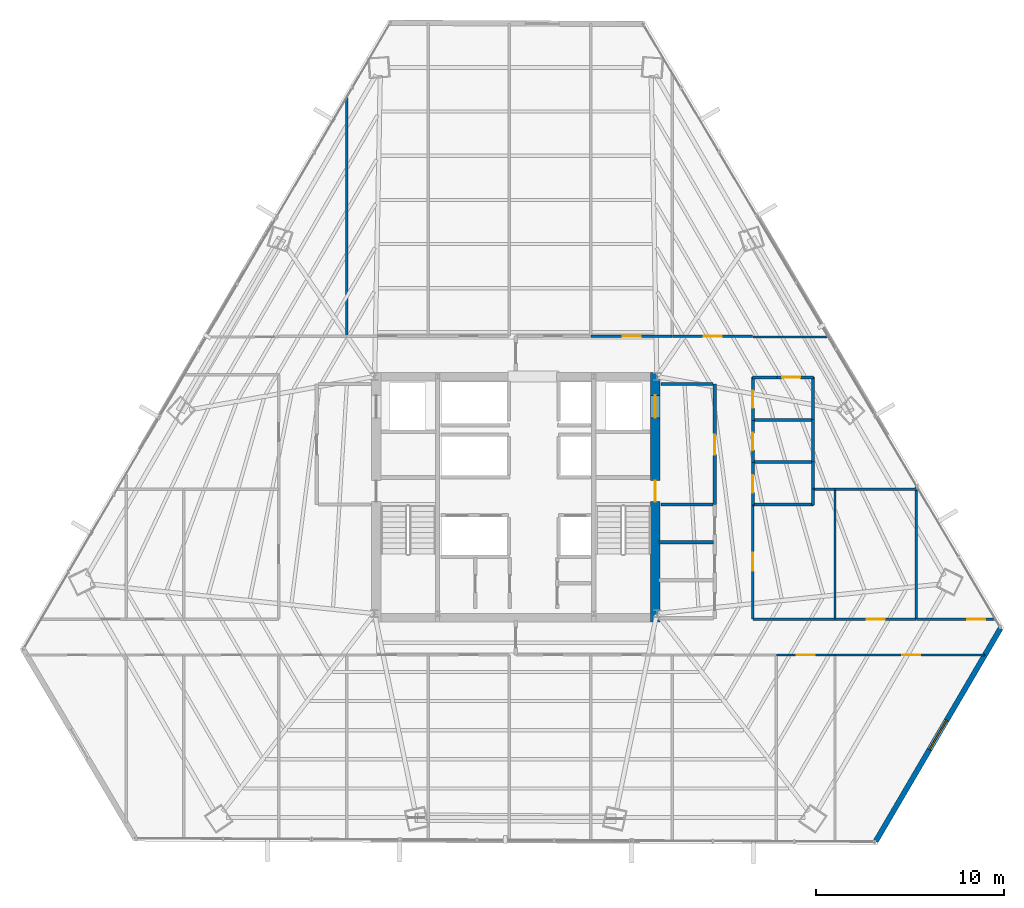
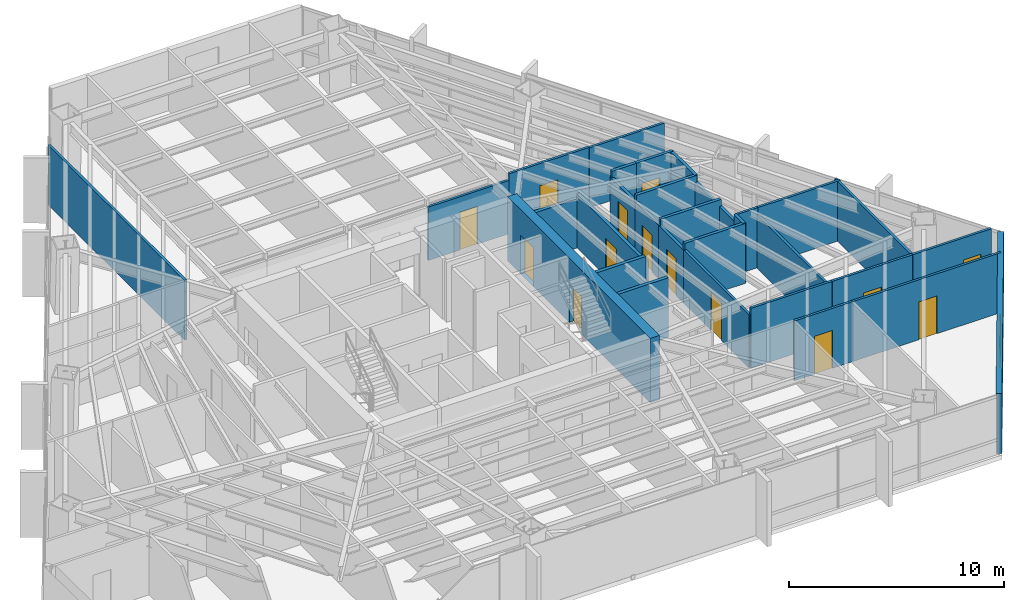
# One storey, part 32 of 36: 32 walls, 14 doors, 1 window, 15 openings.
"""IFC4 building model written with IfcOpenShell, lengths in metres."""

from ifc_helpers import new_model, si_unit, direction, frame, frame_2d, origin, place, context, subcontext, project, spatial, rectangle, extrude, material, layer, layer_set, type_object, element, fill, save


model = new_model("IFC4")

# Units and contexts
model_context = context("Model", 3, precision=1e-05, world=origin(), true_north=direction((0.0, 1.0)))
body_context = subcontext(model_context, "Body", "Model", "MODEL_VIEW")
ifc_project = project(units=[si_unit("LENGTHUNIT", "METRE"), si_unit("AREAUNIT", "SQUARE_METRE"), si_unit("VOLUMEUNIT", "CUBIC_METRE"), si_unit("PLANEANGLEUNIT", "RADIAN"), si_unit("MASSUNIT", "GRAM", prefix="KILO")], contexts=[model_context])

# Site, building, storey
site_placement = place(None, origin())
site = spatial("IfcSite", under=ifc_project, at=site_placement, CompositionType="ELEMENT")
building_placement = place(site_placement, origin())
building = spatial("IfcBuilding", under=site, at=building_placement, Name="Caelisora Broadcast Tower", CompositionType="ELEMENT")
storey_placement = place(building_placement, frame((0.0, 0.0, 112.699951171875)))
storey = spatial("IfcBuildingStorey", under=building, at=storey_placement, Name="L29", CompositionType="ELEMENT", Elevation=112.699951171875)

# Wall, openings, doors
ifc_material_1 = material(Name="Concrete 50 MPa (AS 3600 S50)", Category="concrete")
ifc_layer_1 = layer(ifc_material_1, 0.5, Name="Concrete 50 MPa (AS 3600 S50)")
ifc_layer_set_1 = layer_set([ifc_layer_1], Name="Concrete 50 MPa (AS 3600 S50)")
wall_type_1 = type_object("IfcWallType", Name="CW2", PredefinedType="SHEAR", material=ifc_layer_set_1)
wall_1_placement = place(storey_placement, frame((45.409912109375, 16.949951171875, 0.0), z_axis=(0.0, 0.0, 1.0), x_axis=(0.0, 1.0, 0.0)))
wall_1 = element("IfcWall", 1, at=wall_1_placement, inside=storey, type_object=wall_type_1, Name="L29 core shear wall CW2", PredefinedType="SHEAR", context=body_context, shape_type="SweptSolid", body=[
    extrude(rectangle(XDim=13.275146484375, YDim=0.5, at=frame_2d((6.6376953125, 0.0))), origin(), (0.0, 0.0, 1.0), 3.650146484375),
])
opening_1_placement = place(wall_1_placement, frame((6.39990234375, 0.0, 0.0)))
opening_1 = element("IfcOpeningElement", 2, at=opening_1_placement, cuts=wall_1, Name="Opening FD04", PredefinedType="OPENING", context=body_context, shape_type="SweptSolid", body=[
    extrude(rectangle(XDim=1.1201171875, YDim=2.14990234375, at=frame_2d((0.56005859375, 1.074951171875))), frame((0.0, 0.261962890625, 0.0), z_axis=(0.0, -1.0, 0.0), x_axis=(1.0, 0.0, 0.0)), (0.0, 0.0, 1.0), 0.52392578125),
])
opening_2_placement = place(wall_1_placement, frame((10.85009765625, 0.0, 0.0)))
opening_2 = element("IfcOpeningElement", 3, at=opening_2_placement, cuts=wall_1, Name="Opening LD04", PredefinedType="OPENING", context=body_context, shape_type="SweptSolid", body=[
    extrude(rectangle(XDim=1.199951171875, YDim=2.199951171875, at=frame_2d((0.60009765625, 1.10009765625))), frame((0.0, 0.261962890625, 0.0), z_axis=(0.0, -1.0, 0.0), x_axis=(1.0, 0.0, 0.0)), (0.0, 0.0, 1.0), 0.52392578125),
])
ifc_material_2 = material(Name="Pressurised Fire-Isolated Stair Door", Category="steel")
door_type_1 = type_object("IfcDoorType", Name="FD04", OperationType="NOTDEFINED", PredefinedType="DOOR", material=ifc_material_2)
door_1_placement = place(opening_1_placement, origin())
door_1 = element("IfcDoor", 4, at=door_1_placement, inside=storey, type_object=door_type_1, Name="L29 door FD04 (L29-DR-ST2)", OperationType="SINGLE_SWING_RIGHT", OverallHeight=2.14990234375, OverallWidth=1.1201171875, PredefinedType="DOOR", context=body_context, shape_type="SweptSolid", body=[
    extrude(rectangle(XDim=1.1201171875, YDim=2.14990234375, at=frame_2d((0.56005859375, 1.074951171875))), frame((0.0, 0.02490234375, 0.0), z_axis=(0.0, -1.0, 0.0), x_axis=(1.0, 0.0, 0.0)), (0.0, 0.0, 1.0), 0.050048828125),
])
fill(opening_1, door_1)
ifc_material_3 = material(Name="Emergency Firefighting Lift Sliding Landing Door", Category="steel")
door_type_2 = type_object("IfcDoorType", Name="LD04", OperationType="NOTDEFINED", PredefinedType="DOOR", material=ifc_material_3)
door_2_placement = place(opening_2_placement, origin())
door_2 = element("IfcDoor", 5, at=door_2_placement, inside=storey, type_object=door_type_2, Name="L29 door LD04 (L29-LD-FFL2)", OperationType="SLIDING_TO_RIGHT", OverallHeight=2.199951171875, OverallWidth=1.199951171875, PredefinedType="DOOR", context=body_context, shape_type="SweptSolid", body=[
    extrude(rectangle(XDim=1.199951171875, YDim=2.199951171875, at=frame_2d((0.60009765625, 1.10009765625))), frame((0.0, 0.02490234375, 0.0), z_axis=(0.0, -1.0, 0.0), x_axis=(1.0, 0.0, 0.0)), (0.0, 0.0, 1.0), 0.050048828125),
])
fill(opening_2, door_2)

# Wall, opening, window
ifc_material_4 = material(Name="Insulated Terracotta Spandrel Wall System", Category="masonry")
ifc_layer_2 = layer(ifc_material_4, 0.280029296875, Name="Insulated Terracotta Spandrel Wall System")
ifc_layer_set_2 = layer_set([ifc_layer_2], Name="Insulated Terracotta Spandrel Wall System")
wall_type_2 = type_object("IfcWallType", Name="EW1", PredefinedType="STANDARD", material=ifc_layer_set_2)
wall_2_placement = place(storey_placement, frame((63.76171875, 16.613037109375, 0.0), z_axis=(0.0, 0.0, 1.0), x_axis=(-0.5054939922, -0.862830124561, 0.0)))
wall_2 = element("IfcWall", 6, at=wall_2_placement, inside=storey, type_object=wall_type_2, Name="L29 exterior envelope wall EW1", PredefinedType="STANDARD", context=body_context, shape_type="SweptSolid", body=[
    extrude(rectangle(XDim=13.115234375, YDim=0.280029296875, at=frame_2d((6.5576171875, 0.0))), origin(), (0.0, 0.0, 1.0), 3.400146484375),
])
opening_3_placement = place(wall_2_placement, frame((5.659912109375, 0.0, 0.89990234375)))
opening_3 = element("IfcOpeningElement", 7, at=opening_3_placement, cuts=wall_2, Name="Opening W01", PredefinedType="OPENING", context=body_context, shape_type="SweptSolid", body=[
    extrude(rectangle(XDim=1.800048828125, YDim=1.800048828125, at=frame_2d((0.89990234375, 0.89990234375))), frame((0.0, 0.152099609375, 0.0), z_axis=(0.0, -1.0, 0.0), x_axis=(1.0, 0.0, 0.0)), (0.0, 0.0, 1.0), 0.303955078125),
])
ifc_material_5 = material(Name="Double Glazed Terracotta-Framed Vision Window", Category="glass")
window_type = type_object("IfcWindowType", Name="W01", PartitioningType="SINGLE_PANEL", PredefinedType="WINDOW", material=ifc_material_5)
window_placement = place(opening_3_placement, origin())
window = element("IfcWindow", 8, at=window_placement, inside=storey, type_object=window_type, Name="L29 window W01 (L29-WN-CH0)", OverallHeight=1.800048828125, OverallWidth=1.800048828125, PartitioningType="SINGLE_PANEL", PredefinedType="WINDOW", context=body_context, shape_type="SweptSolid", body=[
    extrude(rectangle(XDim=1.800048828125, YDim=1.800048828125, at=frame_2d((0.89990234375, 0.89990234375))), frame((0.0, 0.030029296875, 0.0), z_axis=(0.0, -1.0, 0.0), x_axis=(1.0, 0.0, 0.0)), (0.0, 0.0, 1.0), 0.06005859375),
])
fill(opening_3, window)

# Wall, opening, door
ifc_material_6 = material(Name="Fire-Rated Gypsum Shaft and Compartment Wall", Category="gypsum")
ifc_layer_3 = layer(ifc_material_6, 0.179931640625, Name="Fire-Rated Gypsum Shaft and Compartment Wall")
ifc_layer_set_3 = layer_set([ifc_layer_3], Name="Fire-Rated Gypsum Shaft and Compartment Wall")
wall_type_3 = type_object("IfcWallType", Name="PW2", PredefinedType="PARTITIONING", material=ifc_layer_set_3)
wall_3_placement = place(storey_placement, frame((48.580078125, 23.199951171875, 0.0), z_axis=(0.0, 0.0, 1.0), x_axis=(0.0, 1.0, 0.0)))
wall_3 = element("IfcWall", 9, at=wall_3_placement, inside=storey, type_object=wall_type_3, Name="L29 fire compartment wall PW2", PredefinedType="PARTITIONING", context=body_context, shape_type="SweptSolid", body=[
    extrude(rectangle(XDim=6.400146484375, YDim=0.179931640625, at=frame_2d((3.2001953125, 0.0))), origin(), (0.0, 0.0, 1.0), 3.0263671875),
])
opening_4_placement = place(wall_3_placement, frame((2.64990234375, 0.0, 0.0)))
opening_4 = element("IfcOpeningElement", 10, at=opening_4_placement, cuts=wall_3, Name="Opening FD02", PredefinedType="OPENING", context=body_context, shape_type="SweptSolid", body=[
    extrude(rectangle(XDim=1.050048828125, YDim=2.14990234375, at=frame_2d((0.52490234375, 1.074951171875))), frame((0.0, 0.10205078125, 0.0), z_axis=(0.0, -1.0, 0.0), x_axis=(1.0, 0.0, 0.0)), (0.0, 0.0, 1.0), 0.203857421875),
])
ifc_material_7 = material(Name="Single-Leaf Steel Fire Lobby Door", Category="steel")
door_type_3 = type_object("IfcDoorType", Name="FD02", OperationType="NOTDEFINED", PredefinedType="DOOR", material=ifc_material_7)
door_3_placement = place(opening_4_placement, origin())
door_3 = element("IfcDoor", 11, at=door_3_placement, inside=storey, type_object=door_type_3, Name="L29 door FD02 (L29-DR-P04D1)", OperationType="SINGLE_SWING_LEFT", OverallHeight=2.14990234375, OverallWidth=1.050048828125, PredefinedType="DOOR", context=body_context, shape_type="SweptSolid", body=[
    extrude(rectangle(XDim=1.050048828125, YDim=2.14990234375, at=frame_2d((0.52490234375, 1.074951171875))), frame((0.0, 0.02490234375, 0.0), z_axis=(0.0, -1.0, 0.0), x_axis=(1.0, 0.0, 0.0)), (0.0, 0.0, 1.0), 0.050048828125),
])
fill(opening_4, door_3)

# Walls
wall_4_placement = place(storey_placement, frame((45.719970703125, 23.199951171875, 0.0), z_axis=(0.0, 0.0, 1.0), x_axis=(1.0, 0.0, 0.0)))
element("IfcWall", 12, at=wall_4_placement, inside=storey, type_object=wall_type_3, Name="L29 fire compartment wall PW2", PredefinedType="PARTITIONING", context=body_context, shape_type="SweptSolid", body=[
    extrude(rectangle(XDim=2.760009765625, YDim=0.179931640625, at=frame_2d((1.3798828125, 0.0))), origin(), (0.0, 0.0, 1.0), 3.400146484375),
])
wall_5_placement = place(storey_placement, frame((45.719970703125, 29.60009765625, 0.0), z_axis=(0.0, 0.0, 1.0), x_axis=(1.0, 0.0, 0.0)))
element("IfcWall", 13, at=wall_5_placement, inside=storey, type_object=wall_type_3, Name="L29 fire compartment wall PW2", PredefinedType="PARTITIONING", context=body_context, shape_type="SweptSolid", body=[
    extrude(rectangle(XDim=2.760009765625, YDim=0.179931640625, at=frame_2d((1.3798828125, 0.0))), origin(), (0.0, 0.0, 1.0), 2.782958984375),
])
wall_6_placement = place(storey_placement, frame((45.6201171875, 21.18994140625, 0.0), z_axis=(0.0, 0.0, 1.0), x_axis=(1.0, 0.0, 0.0)))
element("IfcWall", 14, at=wall_6_placement, inside=storey, type_object=wall_type_3, Name="L29 fire compartment wall PW2", PredefinedType="PARTITIONING", context=body_context, shape_type="SweptSolid", body=[
    extrude(rectangle(XDim=2.89990234375, YDim=0.179931640625, at=frame_2d((1.449951171875, 0.0))), origin(), (0.0, 0.0, 1.0), 3.400146484375),
])
ifc_material_8 = material(Name="Acoustic Steel-Stud Plasterboard Partition", Category="gypsum")
ifc_layer_4 = layer(ifc_material_8, 0.1298828125, Name="Acoustic Steel-Stud Plasterboard Partition")
ifc_layer_set_4 = layer_set([ifc_layer_4], Name="Acoustic Steel-Stud Plasterboard Partition")
wall_type_4 = type_object("IfcWallType", Name="PW3", PredefinedType="PARTITIONING", material=ifc_layer_set_4)
wall_7_placement = place(storey_placement, frame((29.010009765625, 32.155029296875, 0.0), z_axis=(0.0, 0.0, 1.0), x_axis=(0.0, 1.0, 0.0)))
element("IfcWall", 15, at=wall_7_placement, inside=storey, type_object=wall_type_4, Name="L29 internal partition PW3", PredefinedType="PARTITIONING", context=body_context, shape_type="SweptSolid", body=[
    extrude(rectangle(XDim=12.6806640625, YDim=0.1298828125, at=frame_2d((6.34033203125, 0.0))), origin(), (0.0, 0.0, 1.0), 3.400146484375),
])

# Wall, opening, door
wall_8_placement = place(storey_placement, frame((54.97509765625, 15.199951171875, 0.0), z_axis=(0.0, 0.0, 1.0), x_axis=(1.0, 0.0, 0.0)))
wall_8 = element("IfcWall", 16, at=wall_8_placement, inside=storey, type_object=wall_type_4, Name="L29 internal partition PW3", PredefinedType="PARTITIONING", context=body_context, shape_type="SweptSolid", body=[
    extrude(rectangle(XDim=7.96484375, YDim=0.1298828125, at=frame_2d((3.982421875, 0.0))), origin(), (0.0, 0.0, 1.0), 3.400146484375),
])
opening_5_placement = place(wall_8_placement, frame((3.556884765625, 0.0, 0.0)))
opening_5 = element("IfcOpeningElement", 17, at=opening_5_placement, cuts=wall_8, Name="Opening D01", PredefinedType="OPENING", context=body_context, shape_type="SweptSolid", body=[
    extrude(rectangle(XDim=0.9599609375, YDim=2.14990234375, at=frame_2d((0.47998046875, 1.074951171875))), frame((0.0, 0.076904296875, 0.0), z_axis=(0.0, -1.0, 0.0), x_axis=(1.0, 0.0, 0.0)), (0.0, 0.0, 1.0), 0.15380859375),
])
ifc_material_9 = material(Name="Solid-Core Timber Acoustic Office Door", Category="wood")
door_type_4 = type_object("IfcDoorType", Name="D01", OperationType="NOTDEFINED", PredefinedType="DOOR", material=ifc_material_9)
door_4_placement = place(opening_5_placement, origin())
door_4 = element("IfcDoor", 18, at=door_4_placement, inside=storey, type_object=door_type_4, Name="L29 door D01 (L29-DR-P46D1)", OperationType="SINGLE_SWING_RIGHT", OverallHeight=2.14990234375, OverallWidth=0.9599609375, PredefinedType="DOOR", context=body_context, shape_type="SweptSolid", body=[
    extrude(rectangle(XDim=0.9599609375, YDim=2.14990234375, at=frame_2d((0.47998046875, 1.074951171875))), frame((0.0, 0.02490234375, 0.0), z_axis=(0.0, -1.0, 0.0), x_axis=(1.0, 0.0, 0.0)), (0.0, 0.0, 1.0), 0.050048828125),
])
fill(opening_5, door_4)

# Walls
wall_9_placement = place(storey_placement, frame((54.969970703125, 17.10498046875, 0.0), z_axis=(0.0, 0.0, 1.0), x_axis=(0.0, 1.0, 0.0)))
element("IfcWall", 19, at=wall_9_placement, inside=storey, type_object=wall_type_4, Name="L29 internal partition PW3", PredefinedType="PARTITIONING", context=body_context, shape_type="SweptSolid", body=[
    extrude(rectangle(XDim=6.89013671875, YDim=0.1298828125, at=frame_2d((3.445068359375, 0.0))), origin(), (0.0, 0.0, 1.0), 3.0263671875),
])
wall_10_placement = place(storey_placement, frame((59.2900390625, 17.10498046875, 0.0), z_axis=(0.0, 0.0, 1.0), x_axis=(0.0, 1.0, 0.0)))
element("IfcWall", 20, at=wall_10_placement, inside=storey, type_object=wall_type_4, Name="L29 internal partition PW3", PredefinedType="PARTITIONING", context=body_context, shape_type="SweptSolid", body=[
    extrude(rectangle(XDim=7.09130859375, YDim=0.1298828125, at=frame_2d((3.545654296875, 0.0))), origin(), (0.0, 0.0, 1.0), 3.400146484375),
])

# Wall, opening, door
wall_11_placement = place(storey_placement, frame((50.60009765625, 17.10498046875, 0.0), z_axis=(0.0, 0.0, 1.0), x_axis=(0.0, 1.0, 0.0)))
wall_11 = element("IfcWall", 21, at=wall_11_placement, inside=storey, type_object=wall_type_4, Name="L29 internal partition PW3", PredefinedType="PARTITIONING", context=body_context, shape_type="SweptSolid", body=[
    extrude(rectangle(XDim=6.090087890625, YDim=0.1298828125, at=frame_2d((3.044921875, 0.0))), origin(), (0.0, 0.0, 1.0), 3.0263671875),
])
opening_6_placement = place(wall_11_placement, frame((2.56494140625, 0.0, 0.0)))
opening_6 = element("IfcOpeningElement", 22, at=opening_6_placement, cuts=wall_11, Name="Opening D01", PredefinedType="OPENING", context=body_context, shape_type="SweptSolid", body=[
    extrude(rectangle(XDim=0.9599609375, YDim=2.14990234375, at=frame_2d((0.47998046875, 1.074951171875))), frame((0.0, 0.076904296875, 0.0), z_axis=(0.0, -1.0, 0.0), x_axis=(1.0, 0.0, 0.0)), (0.0, 0.0, 1.0), 0.15380859375),
])
door_5_placement = place(opening_6_placement, origin())
door_5 = element("IfcDoor", 23, at=door_5_placement, inside=storey, type_object=door_type_4, Name="L29 door D01 (L29-DR-P53D1)", OperationType="SINGLE_SWING_LEFT", OverallHeight=2.14990234375, OverallWidth=0.9599609375, PredefinedType="DOOR", context=body_context, shape_type="SweptSolid", body=[
    extrude(rectangle(XDim=0.9599609375, YDim=2.14990234375, at=frame_2d((0.47998046875, 1.074951171875))), frame((0.0, 0.02490234375, 0.0), z_axis=(0.0, -1.0, 0.0), x_axis=(1.0, 0.0, 0.0)), (0.0, 0.0, 1.0), 0.050048828125),
])
fill(opening_6, door_5)

# Wall
wall_12_placement = place(storey_placement, frame((54.965087890625, 17.10009765625, 0.0), z_axis=(0.0, 0.0, 1.0), x_axis=(-1.0, 0.0, 0.0)))
element("IfcWall", 24, at=wall_12_placement, inside=storey, type_object=wall_type_4, Name="L29 internal partition PW3", PredefinedType="PARTITIONING", context=body_context, shape_type="SweptSolid", body=[
    extrude(rectangle(XDim=4.360107421875, YDim=0.1298828125, at=frame_2d((2.18017578125, 0.0))), origin(), (0.0, 0.0, 1.0), 3.400146484375),
])

# Wall, opening, door
wall_13_placement = place(storey_placement, frame((41.9951171875, 32.14990234375, 0.0), z_axis=(0.0, 0.0, 1.0), x_axis=(1.0, 0.0, 0.0)))
wall_13 = element("IfcWall", 25, at=wall_13_placement, inside=storey, type_object=wall_type_4, Name="L29 internal partition PW3", PredefinedType="PARTITIONING", context=body_context, shape_type="SweptSolid", body=[
    extrude(rectangle(XDim=4.31982421875, YDim=0.1298828125, at=frame_2d((2.159912109375, 0.0))), origin(), (0.0, 0.0, 1.0), 3.0263671875),
])
opening_7_placement = place(wall_13_placement, frame((1.679931640625, 0.0, 0.0)))
opening_7 = element("IfcOpeningElement", 26, at=opening_7_placement, cuts=wall_13, Name="Opening D01", PredefinedType="OPENING", context=body_context, shape_type="SweptSolid", body=[
    extrude(rectangle(XDim=0.9599609375, YDim=2.14990234375, at=frame_2d((0.47998046875, 1.074951171875))), frame((0.0, 0.076904296875, 0.0), z_axis=(0.0, -1.0, 0.0), x_axis=(1.0, 0.0, 0.0)), (0.0, 0.0, 1.0), 0.15380859375),
])
door_6_placement = place(opening_7_placement, origin())
door_6 = element("IfcDoor", 27, at=door_6_placement, inside=storey, type_object=door_type_4, Name="L29 door D01 (L29-DR-P64D1)", OperationType="SINGLE_SWING_RIGHT", OverallHeight=2.14990234375, OverallWidth=0.9599609375, PredefinedType="DOOR", context=body_context, shape_type="SweptSolid", body=[
    extrude(rectangle(XDim=0.9599609375, YDim=2.14990234375, at=frame_2d((0.47998046875, 1.074951171875))), frame((0.0, 0.02490234375, 0.0), z_axis=(0.0, -1.0, 0.0), x_axis=(1.0, 0.0, 0.0)), (0.0, 0.0, 1.0), 0.050048828125),
])
fill(opening_7, door_6)

wall_14_placement = place(storey_placement, frame((59.294921875, 17.10009765625, 0.0), z_axis=(0.0, 0.0, 1.0), x_axis=(1.0, 0.0, 0.0)))
wall_14 = element("IfcWall", 28, at=wall_14_placement, inside=storey, type_object=wall_type_4, Name="L29 internal partition PW3", PredefinedType="PARTITIONING", context=body_context, shape_type="SweptSolid", body=[
    extrude(rectangle(XDim=4.214599609375, YDim=0.1298828125, at=frame_2d((2.107421875, 0.0))), origin(), (0.0, 0.0, 1.0), 3.400146484375),
])
opening_8_placement = place(wall_14_placement, frame((2.699951171875, 0.0, 0.0)))
opening_8 = element("IfcOpeningElement", 29, at=opening_8_placement, cuts=wall_14, Name="Opening D01", PredefinedType="OPENING", context=body_context, shape_type="SweptSolid", body=[
    extrude(rectangle(XDim=0.9599609375, YDim=2.14990234375, at=frame_2d((0.47998046875, 1.074951171875))), frame((0.0, 0.076904296875, 0.0), z_axis=(0.0, -1.0, 0.0), x_axis=(1.0, 0.0, 0.0)), (0.0, 0.0, 1.0), 0.15380859375),
])
door_7_placement = place(opening_8_placement, origin())
door_7 = element("IfcDoor", 30, at=door_7_placement, inside=storey, type_object=door_type_4, Name="L29 door D01 (L29-DR-P65D1)", OperationType="SINGLE_SWING_LEFT", OverallHeight=2.14990234375, OverallWidth=0.9599609375, PredefinedType="DOOR", context=body_context, shape_type="SweptSolid", body=[
    extrude(rectangle(XDim=0.9599609375, YDim=2.14990234375, at=frame_2d((0.47998046875, 1.074951171875))), frame((0.0, 0.02490234375, 0.0), z_axis=(0.0, -1.0, 0.0), x_axis=(1.0, 0.0, 0.0)), (0.0, 0.0, 1.0), 0.050048828125),
])
fill(opening_8, door_7)

wall_15_placement = place(storey_placement, frame((54.97509765625, 17.10009765625, 0.0), z_axis=(0.0, 0.0, 1.0), x_axis=(1.0, 0.0, 0.0)))
wall_15 = element("IfcWall", 31, at=wall_15_placement, inside=storey, type_object=wall_type_4, Name="L29 internal partition PW3", PredefinedType="PARTITIONING", context=body_context, shape_type="SweptSolid", body=[
    extrude(rectangle(XDim=4.309814453125, YDim=0.1298828125, at=frame_2d((2.15478515625, 0.0))), origin(), (0.0, 0.0, 1.0), 3.400146484375),
])
opening_9_placement = place(wall_15_placement, frame((1.675048828125, 0.0, 0.0)))
opening_9 = element("IfcOpeningElement", 32, at=opening_9_placement, cuts=wall_15, Name="Opening D01", PredefinedType="OPENING", context=body_context, shape_type="SweptSolid", body=[
    extrude(rectangle(XDim=0.9599609375, YDim=2.14990234375, at=frame_2d((0.47998046875, 1.074951171875))), frame((0.0, 0.076904296875, 0.0), z_axis=(0.0, -1.0, 0.0), x_axis=(1.0, 0.0, 0.0)), (0.0, 0.0, 1.0), 0.15380859375),
])
door_8_placement = place(opening_9_placement, origin())
door_8 = element("IfcDoor", 33, at=door_8_placement, inside=storey, type_object=door_type_4, Name="L29 door D01 (L29-DR-P67D1)", OperationType="SINGLE_SWING_LEFT", OverallHeight=2.14990234375, OverallWidth=0.9599609375, PredefinedType="DOOR", context=body_context, shape_type="SweptSolid", body=[
    extrude(rectangle(XDim=0.9599609375, YDim=2.14990234375, at=frame_2d((0.47998046875, 1.074951171875))), frame((0.0, 0.02490234375, 0.0), z_axis=(0.0, -1.0, 0.0), x_axis=(1.0, 0.0, 0.0)), (0.0, 0.0, 1.0), 0.050048828125),
])
fill(opening_9, door_8)

# Wall
wall_16_placement = place(storey_placement, frame((54.97509765625, 24.0, 0.0), z_axis=(0.0, 0.0, 1.0), x_axis=(1.0, 0.0, 0.0)))
element("IfcWall", 34, at=wall_16_placement, inside=storey, type_object=wall_type_4, Name="L29 internal partition PW3", PredefinedType="PARTITIONING", context=body_context, shape_type="SweptSolid", body=[
    extrude(rectangle(XDim=4.423095703125, YDim=0.1298828125, at=frame_2d((2.21142578125, 0.0))), origin(), (0.0, 0.0, 1.0), 3.400146484375),
])

# Wall, opening, door
wall_17_placement = place(storey_placement, frame((46.324951171875, 32.14990234375, 0.0), z_axis=(0.0, 0.0, 1.0), x_axis=(1.0, 0.0, 0.0)))
wall_17 = element("IfcWall", 35, at=wall_17_placement, inside=storey, type_object=wall_type_4, Name="L29 internal partition PW3", PredefinedType="PARTITIONING", context=body_context, shape_type="SweptSolid", body=[
    extrude(rectangle(XDim=4.27001953125, YDim=0.1298828125, at=frame_2d((2.135009765625, 0.0))), origin(), (0.0, 0.0, 1.0), 3.400146484375),
])
opening_10_placement = place(wall_17_placement, frame((1.655029296875, 0.0, 0.0)))
opening_10 = element("IfcOpeningElement", 36, at=opening_10_placement, cuts=wall_17, Name="Opening D01", PredefinedType="OPENING", context=body_context, shape_type="SweptSolid", body=[
    extrude(rectangle(XDim=0.9599609375, YDim=2.14990234375, at=frame_2d((0.47998046875, 1.074951171875))), frame((0.0, 0.076904296875, 0.0), z_axis=(0.0, -1.0, 0.0), x_axis=(1.0, 0.0, 0.0)), (0.0, 0.0, 1.0), 0.15380859375),
])
door_9_placement = place(opening_10_placement, origin())
door_9 = element("IfcDoor", 37, at=door_9_placement, inside=storey, type_object=door_type_4, Name="L29 door D01 (L29-DR-P71D1)", OperationType="SINGLE_SWING_RIGHT", OverallHeight=2.14990234375, OverallWidth=0.9599609375, PredefinedType="DOOR", context=body_context, shape_type="SweptSolid", body=[
    extrude(rectangle(XDim=0.9599609375, YDim=2.14990234375, at=frame_2d((0.47998046875, 1.074951171875))), frame((0.0, 0.02490234375, 0.0), z_axis=(0.0, -1.0, 0.0), x_axis=(1.0, 0.0, 0.0)), (0.0, 0.0, 1.0), 0.050048828125),
])
fill(opening_10, door_9)

# Wall
wall_18_placement = place(storey_placement, frame((50.60498046875, 32.10009765625, 0.0), z_axis=(0.0, 0.0, 1.0), x_axis=(1.0, 0.0, 0.0)))
element("IfcWall", 38, at=wall_18_placement, inside=storey, type_object=wall_type_4, Name="L29 internal partition PW3", PredefinedType="PARTITIONING", context=body_context, shape_type="SweptSolid", body=[
    extrude(rectangle(XDim=4.022705078125, YDim=0.1298828125, at=frame_2d((2.01123046875, 0.0))), origin(), (0.0, 0.0, 1.0), 3.400146484375),
])

# Wall, opening, door
wall_19_placement = place(storey_placement, frame((51.85498046875, 15.199951171875, 0.0), z_axis=(0.0, 0.0, 1.0), x_axis=(1.0, 0.0, 0.0)))
wall_19 = element("IfcWall", 39, at=wall_19_placement, inside=storey, type_object=wall_type_4, Name="L29 internal partition PW3", PredefinedType="PARTITIONING", context=body_context, shape_type="SweptSolid", body=[
    extrude(rectangle(XDim=3.110107421875, YDim=0.1298828125, at=frame_2d((1.55517578125, 0.0))), origin(), (0.0, 0.0, 1.0), 3.400146484375),
])
opening_11_placement = place(wall_19_placement, frame((1.074951171875, 0.0, 0.0)))
opening_11 = element("IfcOpeningElement", 40, at=opening_11_placement, cuts=wall_19, Name="Opening D01", PredefinedType="OPENING", context=body_context, shape_type="SweptSolid", body=[
    extrude(rectangle(XDim=0.9599609375, YDim=2.14990234375, at=frame_2d((0.47998046875, 1.074951171875))), frame((0.0, 0.076904296875, 0.0), z_axis=(0.0, -1.0, 0.0), x_axis=(1.0, 0.0, 0.0)), (0.0, 0.0, 1.0), 0.15380859375),
])
door_10_placement = place(opening_11_placement, origin())
door_10 = element("IfcDoor", 41, at=door_10_placement, inside=storey, type_object=door_type_4, Name="L29 door D01 (L29-DR-P79D1)", OperationType="SINGLE_SWING_LEFT", OverallHeight=2.14990234375, OverallWidth=0.9599609375, PredefinedType="DOOR", context=body_context, shape_type="SweptSolid", body=[
    extrude(rectangle(XDim=0.9599609375, YDim=2.14990234375, at=frame_2d((0.47998046875, 1.074951171875))), frame((0.0, 0.02490234375, 0.0), z_axis=(0.0, -1.0, 0.0), x_axis=(1.0, 0.0, 0.0)), (0.0, 0.0, 1.0), 0.050048828125),
])
fill(opening_11, door_10)

# Walls
wall_20_placement = place(storey_placement, frame((53.804931640625, 24.0, 0.0), z_axis=(0.0, 0.0, 1.0), x_axis=(1.0, 0.0, 0.0)))
element("IfcWall", 42, at=wall_20_placement, inside=storey, type_object=wall_type_4, Name="L29 internal partition PW3", PredefinedType="PARTITIONING", context=body_context, shape_type="SweptSolid", body=[
    extrude(rectangle(XDim=1.16015625, YDim=0.1298828125, at=frame_2d((0.580078125, 0.0))), origin(), (0.0, 0.0, 1.0), 3.400146484375),
])
ifc_material_10 = material(Name="Moisture-Resistant Wet Plumbing Service Wall", Category="gypsum")
ifc_layer_5 = layer(ifc_material_10, 0.159912109375, Name="Moisture-Resistant Wet Plumbing Service Wall")
ifc_layer_set_5 = layer_set([ifc_layer_5], Name="Moisture-Resistant Wet Plumbing Service Wall")
wall_type_5 = type_object("IfcWallType", Name="PW4", PredefinedType="PLUMBINGWALL", material=ifc_layer_set_5)
for number, where, z_axis, x_axis, name in (
    (43, (50.574951171875, 23.199951171875, 0.0), (0.0, 0.0, 1.0), (1.0, 0.0, 0.0), "L29 wet plumbing wall PW4"),
    (44, (50.574951171875, 25.449951171875, 0.0), (0.0, 0.0, 1.0), (1.0, 0.0, 0.0), "L29 wet plumbing wall PW4"),
    (45, (50.574951171875, 27.699951171875, 0.0), (0.0, 0.0, 1.0), (1.0, 0.0, 0.0), "L29 wet plumbing wall PW4"),
):
    element("IfcWall", number, at=place(storey_placement, frame(where, z_axis=z_axis, x_axis=x_axis)), inside=storey, type_object=wall_type_5, Name=name, PredefinedType="PLUMBINGWALL", context=body_context, shape_type="SweptSolid", body=[
        extrude(rectangle(XDim=3.25, YDim=0.159912109375, at=frame_2d((1.625, 0.0))), origin(), (0.0, 0.0, 1.0), 3.400146484375),
    ])

# Wall, opening, door
wall_21_placement = place(storey_placement, frame((50.60009765625, 27.675048828125, 0.0), z_axis=(0.0, 0.0, 1.0), x_axis=(0.0, 1.0, 0.0)))
wall_21 = element("IfcWall", 46, at=wall_21_placement, inside=storey, type_object=wall_type_5, Name="L29 wet plumbing wall PW4", PredefinedType="PLUMBINGWALL", context=body_context, shape_type="SweptSolid", body=[
    extrude(rectangle(XDim=2.300048828125, YDim=0.159912109375, at=frame_2d((1.14990234375, 0.0))), origin(), (0.0, 0.0, 1.0), 3.0263671875),
])
opening_12_placement = place(wall_21_placement, frame((0.659912109375, 0.0, 0.0)))
opening_12 = element("IfcOpeningElement", 47, at=opening_12_placement, cuts=wall_21, Name="Opening D03", PredefinedType="OPENING", context=body_context, shape_type="SweptSolid", body=[
    extrude(rectangle(XDim=0.919921875, YDim=2.10009765625, at=frame_2d((0.4599609375, 1.050048828125))), frame((0.0, 0.092041015625, 0.0), z_axis=(0.0, -1.0, 0.0), x_axis=(1.0, 0.0, 0.0)), (0.0, 0.0, 1.0), 0.183837890625),
])
ifc_material_11 = material(Name="Laminate Moisture-Resistant Amenity WC Door", Category="wood")
door_type_5 = type_object("IfcDoorType", Name="D03", OperationType="NOTDEFINED", PredefinedType="DOOR", material=ifc_material_11)
door_11_placement = place(opening_12_placement, origin())
door_11 = element("IfcDoor", 48, at=door_11_placement, inside=storey, type_object=door_type_5, Name="L29 door D03 (L29-DR-P22D1)", OperationType="SINGLE_SWING_LEFT", OverallHeight=2.10009765625, OverallWidth=0.919921875, PredefinedType="DOOR", context=body_context, shape_type="SweptSolid", body=[
    extrude(rectangle(XDim=0.919921875, YDim=2.10009765625, at=frame_2d((0.4599609375, 1.050048828125))), frame((0.0, 0.02490234375, 0.0), z_axis=(0.0, -1.0, 0.0), x_axis=(1.0, 0.0, 0.0)), (0.0, 0.0, 1.0), 0.050048828125),
])
fill(opening_12, door_11)

wall_22_placement = place(storey_placement, frame((50.60009765625, 25.425048828125, 0.0), z_axis=(0.0, 0.0, 1.0), x_axis=(0.0, 1.0, 0.0)))
wall_22 = element("IfcWall", 49, at=wall_22_placement, inside=storey, type_object=wall_type_5, Name="L29 wet plumbing wall PW4", PredefinedType="PLUMBINGWALL", context=body_context, shape_type="SweptSolid", body=[
    extrude(rectangle(XDim=2.300048828125, YDim=0.159912109375, at=frame_2d((1.14990234375, 0.0))), origin(), (0.0, 0.0, 1.0), 3.0263671875),
])
opening_13_placement = place(wall_22_placement, frame((0.659912109375, 0.0, 0.0)))
opening_13 = element("IfcOpeningElement", 50, at=opening_13_placement, cuts=wall_22, Name="Opening D03", PredefinedType="OPENING", context=body_context, shape_type="SweptSolid", body=[
    extrude(rectangle(XDim=0.919921875, YDim=2.10009765625, at=frame_2d((0.4599609375, 1.050048828125))), frame((0.0, 0.092041015625, 0.0), z_axis=(0.0, -1.0, 0.0), x_axis=(1.0, 0.0, 0.0)), (0.0, 0.0, 1.0), 0.183837890625),
])
door_12_placement = place(opening_13_placement, origin())
door_12 = element("IfcDoor", 51, at=door_12_placement, inside=storey, type_object=door_type_5, Name="L29 door D03 (L29-DR-P23D1)", OperationType="SINGLE_SWING_RIGHT", OverallHeight=2.10009765625, OverallWidth=0.919921875, PredefinedType="DOOR", context=body_context, shape_type="SweptSolid", body=[
    extrude(rectangle(XDim=0.919921875, YDim=2.10009765625, at=frame_2d((0.4599609375, 1.050048828125))), frame((0.0, 0.02490234375, 0.0), z_axis=(0.0, -1.0, 0.0), x_axis=(1.0, 0.0, 0.0)), (0.0, 0.0, 1.0), 0.050048828125),
])
fill(opening_13, door_12)

wall_23_placement = place(storey_placement, frame((50.60009765625, 23.175048828125, 0.0), z_axis=(0.0, 0.0, 1.0), x_axis=(0.0, 1.0, 0.0)))
wall_23 = element("IfcWall", 52, at=wall_23_placement, inside=storey, type_object=wall_type_5, Name="L29 wet plumbing wall PW4", PredefinedType="PLUMBINGWALL", context=body_context, shape_type="SweptSolid", body=[
    extrude(rectangle(XDim=2.300048828125, YDim=0.159912109375, at=frame_2d((1.14990234375, 0.0))), origin(), (0.0, 0.0, 1.0), 3.0263671875),
])
opening_14_placement = place(wall_23_placement, frame((0.659912109375, 0.0, 0.0)))
opening_14 = element("IfcOpeningElement", 53, at=opening_14_placement, cuts=wall_23, Name="Opening D03", PredefinedType="OPENING", context=body_context, shape_type="SweptSolid", body=[
    extrude(rectangle(XDim=0.919921875, YDim=2.10009765625, at=frame_2d((0.4599609375, 1.050048828125))), frame((0.0, 0.092041015625, 0.0), z_axis=(0.0, -1.0, 0.0), x_axis=(1.0, 0.0, 0.0)), (0.0, 0.0, 1.0), 0.183837890625),
])
door_13_placement = place(opening_14_placement, origin())
door_13 = element("IfcDoor", 54, at=door_13_placement, inside=storey, type_object=door_type_5, Name="L29 door D03 (L29-DR-P24D1)", OperationType="SINGLE_SWING_LEFT", OverallHeight=2.10009765625, OverallWidth=0.919921875, PredefinedType="DOOR", context=body_context, shape_type="SweptSolid", body=[
    extrude(rectangle(XDim=0.919921875, YDim=2.10009765625, at=frame_2d((0.4599609375, 1.050048828125))), frame((0.0, 0.02490234375, 0.0), z_axis=(0.0, -1.0, 0.0), x_axis=(1.0, 0.0, 0.0)), (0.0, 0.0, 1.0), 0.050048828125),
])
fill(opening_14, door_13)

# Walls
wall_24_placement = place(storey_placement, frame((53.800048828125, 25.425048828125, 0.0), z_axis=(0.0, 0.0, 1.0), x_axis=(0.0, 1.0, 0.0)))
element("IfcWall", 55, at=wall_24_placement, inside=storey, type_object=wall_type_5, Name="L29 wet plumbing wall PW4", PredefinedType="PLUMBINGWALL", context=body_context, shape_type="SweptSolid", body=[
    extrude(rectangle(XDim=2.300048828125, YDim=0.159912109375, at=frame_2d((1.14990234375, 0.0))), origin(), (0.0, 0.0, 1.0), 3.0263671875),
])
wall_25_placement = place(storey_placement, frame((53.800048828125, 27.675048828125, 0.0), z_axis=(0.0, 0.0, 1.0), x_axis=(0.0, 1.0, 0.0)))
element("IfcWall", 56, at=wall_25_placement, inside=storey, type_object=wall_type_5, Name="L29 wet plumbing wall PW4", PredefinedType="PLUMBINGWALL", context=body_context, shape_type="SweptSolid", body=[
    extrude(rectangle(XDim=2.300048828125, YDim=0.159912109375, at=frame_2d((1.14990234375, 0.0))), origin(), (0.0, 0.0, 1.0), 3.400146484375),
])

# Wall, opening, door
wall_26_placement = place(storey_placement, frame((53.824951171875, 29.949951171875, 0.0), z_axis=(0.0, 0.0, 1.0), x_axis=(-1.0, 0.0, 0.0)))
wall_26 = element("IfcWall", 57, at=wall_26_placement, inside=storey, type_object=wall_type_5, Name="L29 wet plumbing wall PW4", PredefinedType="PLUMBINGWALL", context=body_context, shape_type="SweptSolid", body=[
    extrude(rectangle(XDim=2.0, YDim=0.159912109375, at=frame_2d((1.0, 0.0))), origin(), (0.0, 0.0, 1.0), 3.400146484375),
])
opening_15_placement = place(wall_26_placement, frame((0.699951171875, 0.0, 0.0)))
opening_15 = element("IfcOpeningElement", 58, at=opening_15_placement, cuts=wall_26, Name="Opening D01", PredefinedType="OPENING", context=body_context, shape_type="SweptSolid", body=[
    extrude(rectangle(XDim=0.9599609375, YDim=2.14990234375, at=frame_2d((0.47998046875, 1.074951171875))), frame((0.0, 0.092041015625, 0.0), z_axis=(0.0, -1.0, 0.0), x_axis=(1.0, 0.0, 0.0)), (0.0, 0.0, 1.0), 0.183837890625),
])
door_14_placement = place(opening_15_placement, origin())
door_14 = element("IfcDoor", 59, at=door_14_placement, inside=storey, type_object=door_type_4, Name="L29 door D01 (L29-DR-RSC01)", OperationType="SINGLE_SWING_RIGHT", OverallHeight=2.14990234375, OverallWidth=0.9599609375, PredefinedType="DOOR", context=body_context, shape_type="SweptSolid", body=[
    extrude(rectangle(XDim=0.9599609375, YDim=2.14990234375, at=frame_2d((0.47998046875, 1.074951171875))), frame((0.0, 0.02490234375, 0.0), z_axis=(0.0, -1.0, 0.0), x_axis=(1.0, 0.0, 0.0)), (0.0, 0.0, 1.0), 0.050048828125),
])
fill(opening_15, door_14)

# Walls
wall_27_placement = place(storey_placement, frame((53.800048828125, 23.97509765625, 0.0), z_axis=(0.0, 0.0, 1.0), x_axis=(0.0, 1.0, 0.0)))
element("IfcWall", 60, at=wall_27_placement, inside=storey, type_object=wall_type_5, Name="L29 wet plumbing wall PW4", PredefinedType="PLUMBINGWALL", context=body_context, shape_type="SweptSolid", body=[
    extrude(rectangle(XDim=1.5, YDim=0.159912109375, at=frame_2d((0.75, 0.0))), origin(), (0.0, 0.0, 1.0), 3.0263671875),
])
wall_28_placement = place(storey_placement, frame((50.574951171875, 29.949951171875, 0.0), z_axis=(0.0, 0.0, 1.0), x_axis=(1.0, 0.0, 0.0)))
element("IfcWall", 61, at=wall_28_placement, inside=storey, type_object=wall_type_5, Name="L29 wet plumbing wall PW4", PredefinedType="PLUMBINGWALL", context=body_context, shape_type="SweptSolid", body=[
    extrude(rectangle(XDim=1.300048828125, YDim=0.159912109375, at=frame_2d((0.64990234375, 0.0))), origin(), (0.0, 0.0, 1.0), 3.400146484375),
])
wall_29_placement = place(storey_placement, frame((53.800048828125, 23.175048828125, 0.0), z_axis=(0.0, 0.0, 1.0), x_axis=(0.0, 1.0, 0.0)))
element("IfcWall", 62, at=wall_29_placement, inside=storey, type_object=wall_type_5, Name="L29 wet plumbing wall PW4", PredefinedType="PLUMBINGWALL", context=body_context, shape_type="SweptSolid", body=[
    extrude(rectangle(XDim=0.849853515625, YDim=0.159912109375, at=frame_2d((0.4248046875, 0.0))), origin(), (0.0, 0.0, 1.0), 3.400146484375),
])

save(model, "model.ifc")
